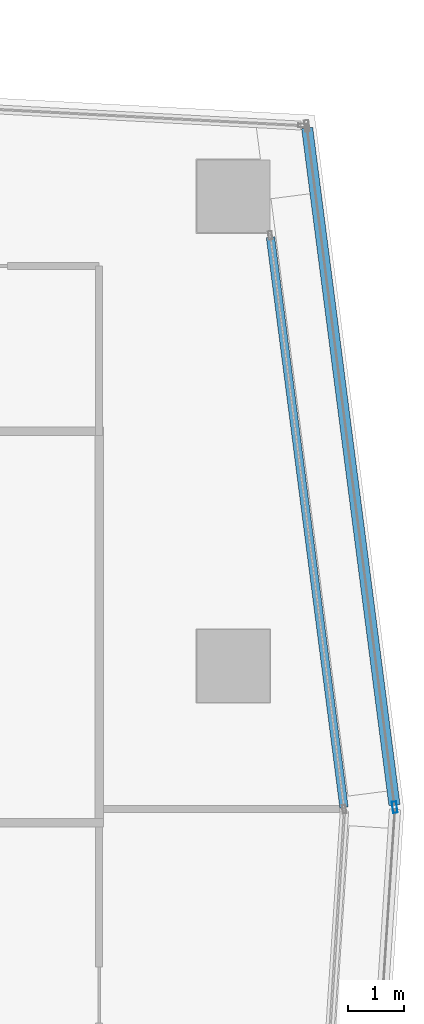
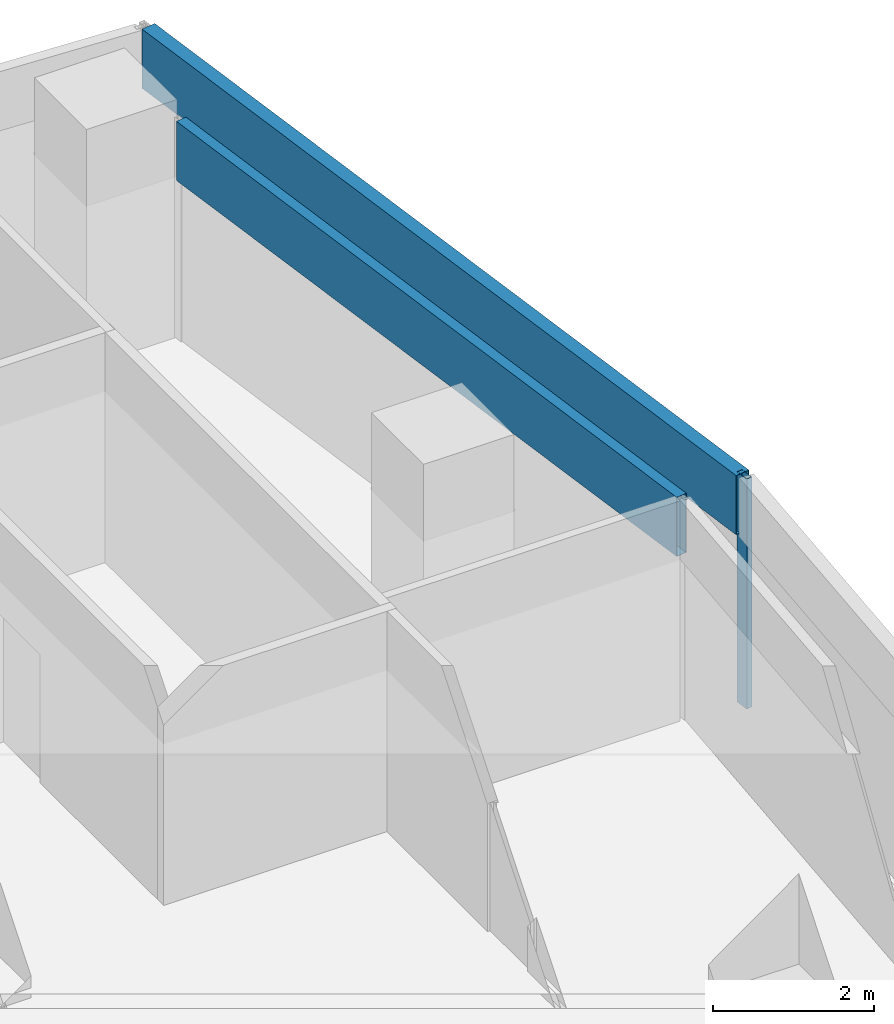
# One storey, part 14 of 29: 3 members, 2 elements without a shape of their own.
"""IFC4 building model written with IfcOpenShell, lengths in metres."""

import ifcopenshell
import ifcopenshell.guid

model = None  # the IFC model being written
_history = None  # IfcOwnerHistory: only IFC2X3 demands one
_inside = {}  # id of a spatial element -> (the spatial element, [elements in it])
_under = {}  # id of a project, library or spatial element -> (it, [spatial elements below it])
_declared = {}  # id of a project -> (the project, [libraries it declares])
_typed = {}  # id of a type object -> (the type object, [elements of that type])
_made_of = {}  # id of a material, layer set ... -> (it, [elements and type objects made of it])


def new_model(schema):
    """Start an empty IFC model of exactly this schema.

    Asked for "IFC4X3", IfcOpenShell would pick the latest addendum, in which some entities
    have other attributes; the version numbers below select the first issue.
    IFC2X3 requires an IfcOwnerHistory on every rooted entity: one is made here for all.
    """
    global model, _history
    if schema == "IFC4X3":
        model = ifcopenshell.file(schema_version=(4, 3, 0, 0))
    else:
        model = ifcopenshell.file(schema=schema)
    _inside.clear()
    _under.clear()
    _declared.clear()
    _typed.clear()
    _made_of.clear()
    _history = None
    if model.schema == "IFC2X3":
        org = make("IfcOrganization", Name="unknown")
        user = make(
            "IfcPersonAndOrganization",
            ThePerson=make("IfcPerson", FamilyName="unknown"),
            TheOrganization=org,
        )
        app = make(
            "IfcApplication",
            ApplicationDeveloper=org,
            Version="unknown",
            ApplicationFullName="unknown",
            ApplicationIdentifier="unknown",
        )
        _history = make(
            "IfcOwnerHistory",
            OwningUser=user,
            OwningApplication=app,
            ChangeAction="ADDED",
            CreationDate=0,
        )
    return model


def make(cls, **values):
    """One entity of the class cls with the attributes given. An attribute that is None is left unset."""
    return model.create_entity(
        cls, **{name: value for name, value in values.items() if value is not None}
    )


def rooted(cls, **values):
    """An entity with a GlobalId (a new one), such as an element, a storey or a relation."""
    return make(cls, GlobalId=ifcopenshell.guid.new(), OwnerHistory=_history, **values)


def si_unit(unit_type, name, prefix=None):
    """IfcSIUnit, for example si_unit("LENGTHUNIT", "METRE", prefix="MILLI")."""
    return make("IfcSIUnit", UnitType=unit_type, Prefix=prefix, Name=name)


def assignment(units):
    """IfcUnitAssignment: the units of a project."""
    return None if units is None else make("IfcUnitAssignment", Units=units)


def point(xyz):
    """IfcCartesianPoint."""
    return None if xyz is None else make("IfcCartesianPoint", Coordinates=xyz)


def direction(xyz):
    """IfcDirection."""
    return None if xyz is None else make("IfcDirection", DirectionRatios=xyz)


def frame(location, z_axis=None, x_axis=None):
    """IfcAxis2Placement3D, a coordinate frame: its origin and axes. An axis left out is left unset."""
    return make(
        "IfcAxis2Placement3D",
        Location=point(location),
        Axis=direction(z_axis),
        RefDirection=direction(x_axis),
    )


def frame_2d(location, x_axis=None):
    """IfcAxis2Placement2D, a coordinate frame in the plane: its origin and x axis."""
    return make(
        "IfcAxis2Placement2D", Location=point(location), RefDirection=direction(x_axis)
    )


def origin():
    """The frame at (0, 0, 0) with its axes left unset."""
    return frame((0.0, 0.0, 0.0))


def origin_2d():
    """The frame at (0, 0) in the plane with its x axis left unset."""
    return frame_2d((0.0, 0.0))


def place(relative_to, where):
    """IfcLocalPlacement: puts the frame where relative to a parent placement (None: the world)."""
    return make(
        "IfcLocalPlacement", PlacementRelTo=relative_to, RelativePlacement=where
    )


def context(
    kind, dimensions, precision=None, world=None, true_north=None, identifier=None
):
    """IfcGeometricRepresentationContext, for example the 3D "Model" context."""
    return make(
        "IfcGeometricRepresentationContext",
        ContextIdentifier=identifier,
        ContextType=kind,
        CoordinateSpaceDimension=dimensions,
        Precision=precision,
        WorldCoordinateSystem=world,
        TrueNorth=true_north,
    )


def subcontext(parent, identifier, kind, view, scale=None):
    """IfcGeometricRepresentationSubContext, for example "Body" below "Model"."""
    return make(
        "IfcGeometricRepresentationSubContext",
        ContextIdentifier=identifier,
        ContextType=kind,
        ParentContext=parent,
        TargetScale=scale,
        TargetView=view,
    )


def project(units=None, contexts=None):
    """IfcProject with its units and contexts."""
    return rooted(
        "IfcProject",
        Name="project",
        RepresentationContexts=contexts,
        UnitsInContext=assignment(units),
    )


def spatial(cls, under=None, at=None, **own):
    """A site, building, storey or space (cls), placed at a placement, below another one or the project."""
    s = rooted(cls, ObjectPlacement=at, **own)
    if under is not None:
        _under.setdefault(under.id(), (under, []))[1].append(s)
    return s


def profile(cls, at=None, kind="AREA", **sizes):
    """A parametric profile (cls). Its sizes go by their IFC names, for example OverallWidth=200.0."""
    return make(cls, ProfileType=kind, Position=at, **sizes)


def hollow_rectangle(**sizes):
    """IfcRectangleHollowProfileDef."""
    return profile("IfcRectangleHollowProfileDef", **sizes)


def extrude(swept, where, along, depth):
    """IfcExtrudedAreaSolid: the profile swept, set in the frame where, extruded along a direction by depth."""
    return make(
        "IfcExtrudedAreaSolid",
        SweptArea=swept,
        Position=where,
        ExtrudedDirection=direction(along),
        Depth=depth,
    )


def shape(context_of_items, identifier, shape_type, items):
    """IfcShapeRepresentation: the items that make up one representation, for example the "Body"."""
    return make(
        "IfcShapeRepresentation",
        ContextOfItems=context_of_items,
        RepresentationIdentifier=identifier,
        RepresentationType=shape_type,
        Items=items,
    )


def material(Name=None, Category=None):
    """IfcMaterial."""
    return make("IfcMaterial", Name=Name, Category=Category)


def material_profile(
    of_material, cross_section, Name=None, Category=None, Priority=None
):
    """IfcMaterialProfile: a cross section and its material."""
    return make(
        "IfcMaterialProfile",
        Name=Name,
        Material=of_material,
        Profile=cross_section,
        Priority=Priority,
        Category=Category,
    )


def profile_set(profiles, Name=None, composite=None):
    """IfcMaterialProfileSet."""
    return make(
        "IfcMaterialProfileSet",
        Name=Name,
        MaterialProfiles=profiles,
        CompositeProfile=composite,
    )


def made_of(thing, what):
    """Note that an element or type object is made of a material, layer set ...; save() writes the relation."""
    if what is not None:
        _made_of.setdefault(what.id(), (what, []))[1].append(thing)
    return thing


def type_object(cls, material=None, **own):
    """A type object (cls), such as IfcWallType, which elements share."""
    return made_of(rooted(cls, **own), material)


def element(
    cls,
    number,
    at=None,
    inside=None,
    cuts=None,
    type_object=None,
    material=None,
    context=None,
    identifier="Body",
    shape_type=None,
    held_by="IfcProductDefinitionShape",
    body=None,
    shapes=None,
    **own,
):
    """One element of the class cls, such as IfcWall. Its Tag is "e" and its number.

    at: its placement. inside: the storey or other place that contains it. cuts: it is an
    opening in that element (IfcRelVoidsElement). A single representation is given by context,
    identifier, shape_type and body (its items); several are given by shapes. held_by: the class
    of the entity that holds the representations. save() writes the other relations.
    """
    e = rooted(cls, Tag="e%d" % number, ObjectPlacement=at, **own)
    if body is not None:
        shapes = [shape(context, identifier, shape_type, body)]
    if shapes is not None:
        e.Representation = make(held_by, Representations=shapes)
    if inside is not None:
        _inside.setdefault(inside.id(), (inside, []))[1].append(e)
    if cuts is not None:
        rooted(
            "IfcRelVoidsElement", RelatingBuildingElement=cuts, RelatedOpeningElement=e
        )
    if type_object is not None:
        _typed.setdefault(type_object.id(), (type_object, []))[1].append(e)
    return made_of(e, material)


def aggregate(whole, parts):
    """IfcRelAggregates: a whole, such as a stair, and the parts it consists of."""
    return rooted("IfcRelAggregates", RelatingObject=whole, RelatedObjects=parts)


def save(model, path):
    """Write the relations noted so far, then the file.

    IfcRelAggregates (storeys below a building ...), IfcRelContainedInSpatialStructure (elements
    in a storey), IfcRelDefinesByType, IfcRelAssociatesMaterial and IfcRelDeclares: one each for
    every whole, place, type object, material and project.
    """
    for whole, parts in _under.values():
        aggregate(whole, parts)
    for where, things in _inside.values():
        rooted(
            "IfcRelContainedInSpatialStructure",
            RelatedElements=things,
            RelatingStructure=where,
        )
    for kind, things in _typed.values():
        rooted("IfcRelDefinesByType", RelatedObjects=things, RelatingType=kind)
    for what, things in _made_of.values():
        rooted("IfcRelAssociatesMaterial", RelatedObjects=things, RelatingMaterial=what)
    for by, libraries in _declared.values():
        rooted("IfcRelDeclares", RelatingContext=by, RelatedDefinitions=libraries)
    model.write(path)


model = new_model("IFC4")

# Units and contexts
model_context = context("Model", 3, precision=1e-05, world=origin(), true_north=direction((0.0, 1.0)))
body_context = subcontext(model_context, "Body", "Model", "MODEL_VIEW")
ifc_project = project(units=[si_unit("LENGTHUNIT", "METRE"), si_unit("AREAUNIT", "SQUARE_METRE"), si_unit("VOLUMEUNIT", "CUBIC_METRE"), si_unit("PLANEANGLEUNIT", "RADIAN"), si_unit("MASSUNIT", "GRAM", prefix="KILO")], contexts=[model_context])

# Site, building, storey
site_placement = place(None, origin())
site = spatial("IfcSite", under=ifc_project, at=site_placement, CompositionType="ELEMENT")
building_placement = place(site_placement, origin())
building = spatial("IfcBuilding", under=site, at=building_placement, Name="Rekha Terrace Tower", CompositionType="ELEMENT")
storey_placement = place(building_placement, frame((0.0, 0.0, 276.35009765625)))
storey = spatial("IfcBuildingStorey", under=building, at=storey_placement, Name="L70", CompositionType="ELEMENT", Elevation=276.35009765625)

# Curtain wall, member
ifc_material_1 = material(Name="Aluminium framing", Category="aluminium")
curtain_wall_type_1 = type_object("IfcCurtainWallType", Name="CW1 double skin inner glazing", PredefinedType="USERDEFINED", material=ifc_material_1)
curtain_wall_1_placement = place(storey_placement, origin())
curtain_wall_1 = element("IfcCurtainWall", 1, at=curtain_wall_1_placement, inside=storey, type_object=curtain_wall_type_1, Name="CW1 double skin inner glazing", ObjectType="DOUBLE SKIN INNER GLAZING", PredefinedType="USERDEFINED")
ifc_material_2 = material(Name="Insulated aluminium spandrel box", Category="aluminium")
ifc_material_profile_1 = material_profile(ifc_material_2, hollow_rectangle(XDim=0.14990234375, YDim=0.89990234375, WallThickness=0.0029296875, at=origin_2d()), Name="AL SPANDREL BOX 150x900")
ifc_profile_set_1 = profile_set([ifc_material_profile_1], Name="Insulated aluminium spandrel box")
member_type_1 = type_object("IfcMemberType", Name="CW1 spandrel transom 150 x 900", PredefinedType="USERDEFINED", material=ifc_profile_set_1)
member_1_placement = place(storey_placement, frame((60.777099609375, 39.471435546875, 3.0498046875), z_axis=(-0.127854523912, 0.991792932378, 0.0), x_axis=(-0.991792932378, -0.127854523912, 0.0)))
member_1 = element("IfcMember", 2, at=member_1_placement, type_object=member_type_1, Name="CW1 spandrel transom 1", ObjectType="TRANSOM", PredefinedType="USERDEFINED", context=body_context, shape_type="SweptSolid", body=[
    extrude(hollow_rectangle(XDim=0.14990234375, YDim=0.89990234375, WallThickness=0.0029296875, at=origin_2d()), origin(), (0.0, 0.0, 1.0), 10.279052734375),
])
aggregate(curtain_wall_1, [member_1])

# Curtain wall, members
curtain_wall_type_2 = type_object("IfcCurtainWallType", Name="CW2 double skin outer glazing", PredefinedType="USERDEFINED", material=ifc_material_1)
curtain_wall_2_placement = place(storey_placement, origin())
curtain_wall_2 = element("IfcCurtainWall", 3, at=curtain_wall_2_placement, inside=storey, type_object=curtain_wall_type_2, Name="CW2 double skin outer glazing", ObjectType="DOUBLE SKIN OUTER GLAZING", PredefinedType="USERDEFINED")
ifc_material_3 = material(Name="Aluminium mullion section", Category="aluminium")
ifc_material_profile_2 = material_profile(ifc_material_3, hollow_rectangle(XDim=0.080078125, YDim=0.199951171875, WallThickness=0.00390625, at=origin_2d()), Name="AL RHS 80x200")
ifc_profile_set_2 = profile_set([ifc_material_profile_2], Name="Aluminium mullion section")
member_type_2 = type_object("IfcMemberType", Name="CW2 mullion RHS 80 x 200", PredefinedType="MULLION", material=ifc_profile_set_2)
member_2_placement = place(storey_placement, frame((61.68408203125, 39.474609375, 0.0), z_axis=(0.0, 0.0, 1.0), x_axis=(-0.991790949459, -0.12786990487, 0.0)))
member_2 = element("IfcMember", 4, at=member_2_placement, type_object=member_type_2, Name="CW2 mullion 1", PredefinedType="MULLION", context=body_context, shape_type="SweptSolid", body=[
    extrude(hollow_rectangle(XDim=0.080078125, YDim=0.199951171875, WallThickness=0.00390625, at=origin_2d()), origin(), (0.0, 0.0, 1.0), 3.5),
])
ifc_material_profile_3 = material_profile(ifc_material_2, hollow_rectangle(XDim=0.199951171875, YDim=0.89990234375, WallThickness=0.0029296875, at=origin_2d()), Name="AL SPANDREL BOX 200x900")
ifc_profile_set_3 = profile_set([ifc_material_profile_3], Name="Insulated aluminium spandrel box")
member_type_3 = type_object("IfcMemberType", Name="CW2 spandrel transom 200 x 900", PredefinedType="USERDEFINED", material=ifc_profile_set_3)
member_3_placement = place(storey_placement, frame((61.67919921875, 39.514404296875, 3.0498046875), z_axis=(-0.127874852181, 0.991790311598, 0.0), x_axis=(-0.991790311598, -0.127874852181, 0.0)))
member_3 = element("IfcMember", 5, at=member_3_placement, type_object=member_type_3, Name="CW2 spandrel transom 1", ObjectType="TRANSOM", PredefinedType="USERDEFINED", context=body_context, shape_type="SweptSolid", body=[
    extrude(hollow_rectangle(XDim=0.199951171875, YDim=0.89990234375, WallThickness=0.0029296875, at=origin_2d()), origin(), (0.0, 0.0, 1.0), 12.20361328125),
])
aggregate(curtain_wall_2, [member_2, member_3])

save(model, "model.ifc")
